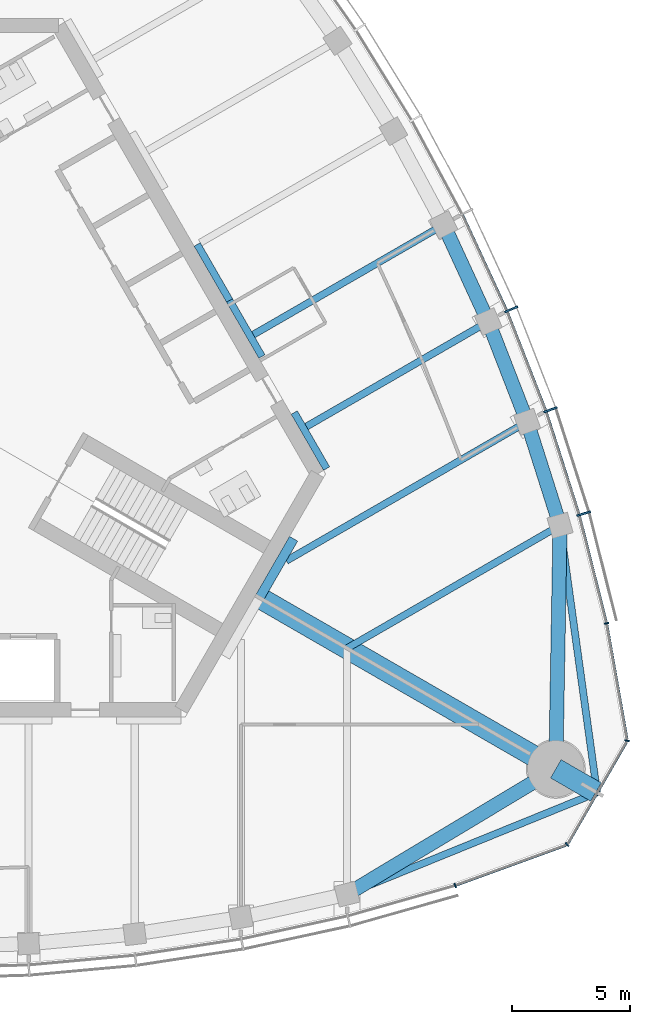
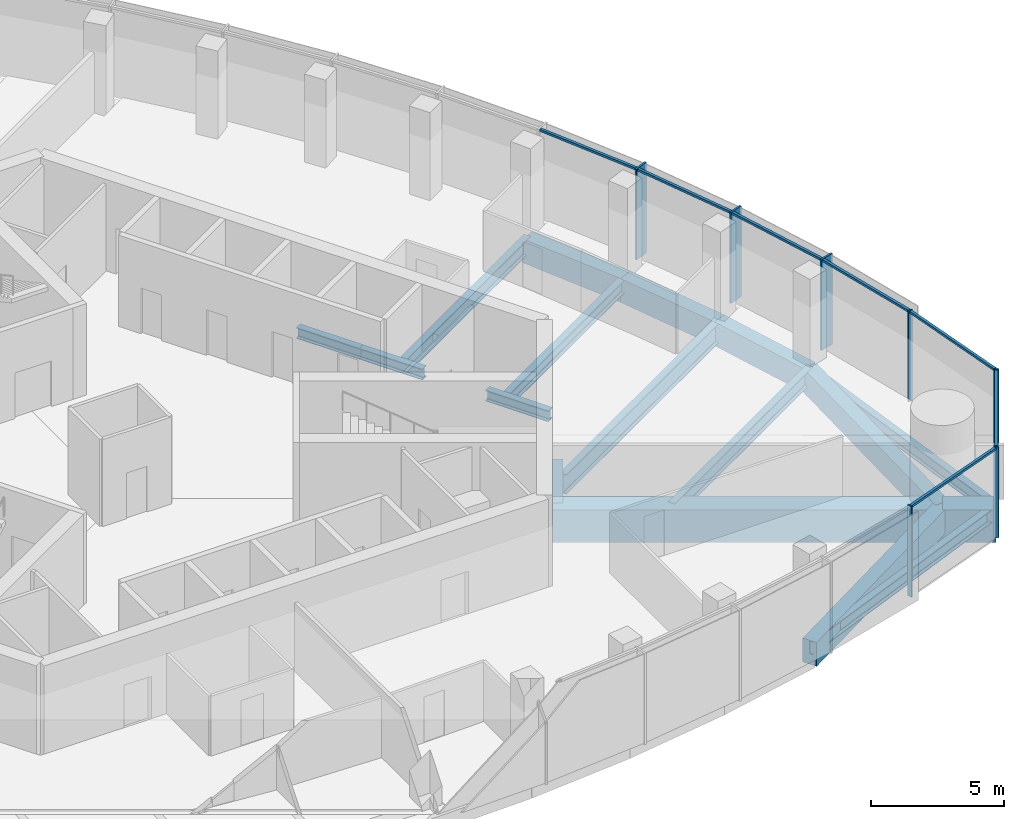
# One storey, part 4 of 16: 17 beams, 14 members, 2 elements without a shape of their own.
"""IFC4 building model written with IfcOpenShell, lengths in metres."""

from ifc_helpers import new_model, si_unit, direction, frame, origin, origin_2d, place, context, subcontext, project, spatial, rectangle, i_section, extrude, material, material_profile, profile_set, type_object, element, aggregate, save


model = new_model("IFC4")

# Units and contexts
model_context = context("Model", 3, precision=1e-05, world=origin(), true_north=direction((0.0, 1.0)))
body_context = subcontext(model_context, "Body", "Model", "MODEL_VIEW")
ifc_project = project(units=[si_unit("LENGTHUNIT", "METRE"), si_unit("AREAUNIT", "SQUARE_METRE"), si_unit("VOLUMEUNIT", "CUBIC_METRE"), si_unit("PLANEANGLEUNIT", "RADIAN"), si_unit("MASSUNIT", "GRAM", prefix="KILO")], contexts=[model_context])

# Site, building, storey
site_placement = place(None, origin())
site = spatial("IfcSite", under=ifc_project, at=site_placement, CompositionType="ELEMENT")
building_placement = place(site_placement, origin())
building = spatial("IfcBuilding", under=site, at=building_placement, Name="Trefoil Bronze Tower", CompositionType="ELEMENT")
storey_placement = place(building_placement, frame((0.0, 0.0, 309.89990234375)))
storey = spatial("IfcBuildingStorey", under=building, at=storey_placement, Name="L71", CompositionType="ELEMENT", Elevation=309.89990234375)

# Curtain wall, members
ifc_material_1 = material(Name="Tinted solar-control glass", Category="glass")
curtain_wall_type_1 = type_object("IfcCurtainWallType", Name="Bronze office curtain wall", PredefinedType="USERDEFINED", material=ifc_material_1)
curtain_wall_1_placement = place(storey_placement, origin())
curtain_wall_1 = element("IfcCurtainWall", 1, at=curtain_wall_1_placement, inside=storey, type_object=curtain_wall_type_1, Name="CW-A L71 F2", ObjectType="CURTAIN WALL", PredefinedType="USERDEFINED")
ifc_material_2 = material(Name="Bronze-finish aluminium", Category="aluminium")
ifc_material_profile_1 = material_profile(ifc_material_2, rectangle(XDim=0.60009765625, YDim=0.080078125, at=origin_2d()), Name="CW-A mullion")
ifc_profile_set_1 = profile_set([ifc_material_profile_1], Name="Bronze-finish aluminium")
member_type_1 = type_object("IfcMemberType", Name="Bronze office curtain wall mullion", PredefinedType="MULLION", material=ifc_profile_set_1)
member_1_placement = place(storey_placement, frame((28.02978515625, -4.685546875, 0.0), z_axis=(0.0, 0.0, 1.0), x_axis=(-0.961395843746, -0.275169096426, 0.0)))
member_1 = element("IfcMember", 2, at=member_1_placement, type_object=member_type_1, Name="CW-A L71 F2 mullion 2", PredefinedType="MULLION", context=body_context, shape_type="SweptSolid", body=[
    extrude(rectangle(XDim=0.60009765625, YDim=0.080078125, at=origin_2d()), origin(), (0.0, 0.0, 1.0), 4.18017578125),
])
member_2_placement = place(storey_placement, frame((26.618896484375, -0.282958984375, 0.0), z_axis=(0.0, 0.0, 1.0), x_axis=(-0.942448408407, -0.334351607581, 0.0)))
member_2 = element("IfcMember", 3, at=member_2_placement, type_object=member_type_1, Name="CW-A L71 F2 mullion 3", PredefinedType="MULLION", context=body_context, shape_type="SweptSolid", body=[
    extrude(rectangle(XDim=0.60009765625, YDim=0.080078125, at=origin_2d()), origin(), (0.0, 0.0, 1.0), 4.18017578125),
])
member_3_placement = place(storey_placement, frame((24.958984375, 3.975830078125, 0.0), z_axis=(0.0, 0.0, 1.0), x_axis=(-0.920205407004, -0.391435829888, 0.0)))
member_3 = element("IfcMember", 4, at=member_3_placement, type_object=member_type_1, Name="CW-A L71 F2 mullion 4", PredefinedType="MULLION", context=body_context, shape_type="SweptSolid", body=[
    extrude(rectangle(XDim=0.60009765625, YDim=0.080078125, at=origin_2d()), origin(), (0.0, 0.0, 1.0), 4.18017578125),
])
ifc_material_3 = material(Name="Bronze-finish aluminium", Category="aluminium")
ifc_material_profile_2 = material_profile(ifc_material_3, rectangle(XDim=0.1201171875, YDim=0.10009765625, at=origin_2d()), Name="CW-A transom")
ifc_profile_set_2 = profile_set([ifc_material_profile_2], Name="Bronze-finish aluminium")
member_type_2 = type_object("IfcMemberType", Name="Bronze office curtain wall transom", PredefinedType="USERDEFINED", material=ifc_profile_set_2)
member_4_placement = place(storey_placement, frame((28.986328125, -9.288330078125, 4.130126953125), z_axis=(-0.244908148095, 0.969546285123, 0.0), x_axis=(-0.969546285123, -0.244908148095, 0.0)))
member_4 = element("IfcMember", 5, at=member_4_placement, type_object=member_type_2, Name="CW-A L71 F2 transom 1", ObjectType="TRANSOM", PredefinedType="USERDEFINED", context=body_context, shape_type="SweptSolid", body=[
    extrude(rectangle(XDim=0.1201171875, YDim=0.10009765625, at=origin_2d()), origin(), (0.0, 0.0, 1.0), 4.6474609375),
])
member_5_placement = place(storey_placement, frame((27.824462890625, -4.699462890625, 4.130126953125), z_axis=(-0.305198606794, 0.95228872219, 0.0), x_axis=(-0.95228872219, -0.305198606794, 0.0)))
member_5 = element("IfcMember", 6, at=member_5_placement, type_object=member_type_2, Name="CW-A L71 F2 transom 2", ObjectType="TRANSOM", PredefinedType="USERDEFINED", context=body_context, shape_type="SweptSolid", body=[
    extrude(rectangle(XDim=0.1201171875, YDim=0.10009765625, at=origin_2d()), origin(), (0.0, 0.0, 1.0), 4.5244140625),
])
member_6_placement = place(storey_placement, frame((26.414794921875, -0.3095703125, 4.130126953125), z_axis=(-0.363178486404, 0.931719586042, 0.0), x_axis=(-0.931719586042, -0.363178486404, 0.0)))
member_6 = element("IfcMember", 7, at=member_6_placement, type_object=member_type_2, Name="CW-A L71 F2 transom 3", ObjectType="TRANSOM", PredefinedType="USERDEFINED", context=body_context, shape_type="SweptSolid", body=[
    extrude(rectangle(XDim=0.1201171875, YDim=0.10009765625, at=origin_2d()), origin(), (0.0, 0.0, 1.0), 4.472412109375),
])
member_7_placement = place(storey_placement, frame((24.7568359375, 3.9365234375, 4.130126953125), z_axis=(-0.4192988407, 0.907848270466, 0.0), x_axis=(-0.907848270466, -0.4192988407, 0.0)))
member_7 = element("IfcMember", 8, at=member_7_placement, type_object=member_type_2, Name="CW-A L71 F2 transom 4", ObjectType="TRANSOM", PredefinedType="USERDEFINED", context=body_context, shape_type="SweptSolid", body=[
    extrude(rectangle(XDim=0.1201171875, YDim=0.10009765625, at=origin_2d()), origin(), (0.0, 0.0, 1.0), 4.4384765625),
])
aggregate(curtain_wall_1, [member_1, member_2, member_3, member_4, member_5, member_6, member_7])

ifc_material_4 = material(Name="Tinted solar-control glass", Category="glass")
curtain_wall_type_2 = type_object("IfcCurtainWallType", Name="Bronze rounded corner curtain wall", PredefinedType="USERDEFINED", material=ifc_material_4)
curtain_wall_2_placement = place(storey_placement, origin())
curtain_wall_2 = element("IfcCurtainWall", 9, at=curtain_wall_2_placement, inside=storey, type_object=curtain_wall_type_2, Name="CW-B L71 K1", ObjectType="CURTAIN WALL", PredefinedType="USERDEFINED")
ifc_material_5 = material(Name="Bronze-finish aluminium", Category="aluminium")
ifc_material_profile_3 = material_profile(ifc_material_5, rectangle(XDim=0.199951171875, YDim=0.06005859375, at=origin_2d()), Name="CW-B mullion")
ifc_profile_set_3 = profile_set([ifc_material_profile_3], Name="Bronze-finish aluminium")
member_type_3 = type_object("IfcMemberType", Name="Bronze rounded corner curtain wall mullion", PredefinedType="MULLION", material=ifc_profile_set_3)
member_8_placement = place(storey_placement, frame((22.58251953125, -20.445556640625, 0.0), z_axis=(0.0, 0.0, 1.0), x_axis=(-0.342020143326, 0.939692620786, 0.0)))
member_8 = element("IfcMember", 10, at=member_8_placement, type_object=member_type_3, Name="CW-B L71 K1 mullion 1", PredefinedType="MULLION", context=body_context, shape_type="SweptSolid", body=[
    extrude(rectangle(XDim=0.199951171875, YDim=0.06005859375, at=origin_2d()), origin(), (0.0, 0.0, 1.0), 4.18017578125),
])
member_9_placement = place(storey_placement, frame((27.326416015625, -18.712646484375, 0.0), z_axis=(0.0, 0.0, 1.0), x_axis=(-0.642787609687, 0.766044443119, 0.0)))
member_9 = element("IfcMember", 11, at=member_9_placement, type_object=member_type_3, Name="CW-B L71 K1 mullion 2", PredefinedType="MULLION", context=body_context, shape_type="SweptSolid", body=[
    extrude(rectangle(XDim=0.199951171875, YDim=0.06005859375, at=origin_2d()), origin(), (0.0, 0.0, 1.0), 4.18017578125),
])
member_10_placement = place(storey_placement, frame((29.86865234375, -14.30908203125, 0.0), z_axis=(0.0, 0.0, 1.0), x_axis=(-0.984807753012, 0.173648177667, 0.0)))
member_10 = element("IfcMember", 12, at=member_10_placement, type_object=member_type_3, Name="CW-B L71 K1 mullion 3", PredefinedType="MULLION", context=body_context, shape_type="SweptSolid", body=[
    extrude(rectangle(XDim=0.199951171875, YDim=0.06005859375, at=origin_2d()), origin(), (0.0, 0.0, 1.0), 4.18017578125),
])
member_11_placement = place(storey_placement, frame((28.99755859375, -9.334228515625, 0.0), z_axis=(0.0, 0.0, 1.0), x_axis=(-0.984807753012, -0.173648177667, 0.0)))
member_11 = element("IfcMember", 13, at=member_11_placement, type_object=member_type_3, Name="CW-B L71 K1 mullion 4", PredefinedType="MULLION", context=body_context, shape_type="SweptSolid", body=[
    extrude(rectangle(XDim=0.199951171875, YDim=0.06005859375, at=origin_2d()), origin(), (0.0, 0.0, 1.0), 4.18017578125),
])
ifc_material_6 = material(Name="Bronze-finish aluminium", Category="aluminium")
ifc_material_profile_4 = material_profile(ifc_material_6, rectangle(XDim=0.1201171875, YDim=0.10009765625, at=origin_2d()), Name="CW-B transom")
ifc_profile_set_4 = profile_set([ifc_material_profile_4], Name="Bronze-finish aluminium")
member_type_4 = type_object("IfcMemberType", Name="Bronze rounded corner curtain wall transom", PredefinedType="USERDEFINED", material=ifc_profile_set_4)
member_12_placement = place(storey_placement, frame((22.610595703125, -20.435302734375, 4.130126953125), z_axis=(0.93969990549, 0.342000128103, 0.0), x_axis=(-0.342000128103, 0.93969990549, 0.0)))
member_12 = element("IfcMember", 14, at=member_12_placement, type_object=member_type_4, Name="CW-B L71 K1 transom 1", ObjectType="TRANSOM", PredefinedType="USERDEFINED", context=body_context, shape_type="SweptSolid", body=[
    extrude(rectangle(XDim=0.1201171875, YDim=0.10009765625, at=origin_2d()), origin(), (0.0, 0.0, 1.0), 4.956298828125),
])
member_13_placement = place(storey_placement, frame((27.36376953125, -18.659912109375, 4.130126953125), z_axis=(0.499985403706, 0.866033830794, 0.0), x_axis=(-0.866033830794, 0.499985403706, 0.0)))
member_13 = element("IfcMember", 15, at=member_13_placement, type_object=member_type_4, Name="CW-B L71 K1 transom 2", ObjectType="TRANSOM", PredefinedType="USERDEFINED", context=body_context, shape_type="SweptSolid", body=[
    extrude(rectangle(XDim=0.1201171875, YDim=0.10009765625, at=origin_2d()), origin(), (0.0, 0.0, 1.0), 4.956298828125),
])
member_14_placement = place(storey_placement, frame((29.863525390625, -14.244873046875, 4.130126953125), z_axis=(-0.173633591509, 0.984810324834, 0.0), x_axis=(-0.984810324834, -0.173633591509, 0.0)))
member_14 = element("IfcMember", 16, at=member_14_placement, type_object=member_type_4, Name="CW-B L71 K1 transom 3", ObjectType="TRANSOM", PredefinedType="USERDEFINED", context=body_context, shape_type="SweptSolid", body=[
    extrude(rectangle(XDim=0.1201171875, YDim=0.10009765625, at=origin_2d()), origin(), (0.0, 0.0, 1.0), 4.956298828125),
])
aggregate(curtain_wall_2, [member_8, member_9, member_10, member_11, member_12, member_13, member_14])

# Beams
ifc_material_7 = material(Name="Steel C355", Category="steel")
ifc_material_profile_5 = material_profile(ifc_material_7, i_section(OverallWidth=0.300048828125, OverallDepth=0.5, WebThickness=0.014404296875, FlangeThickness=0.028076171875, FilletRadius=0.027099609375, at=origin_2d()), Name="HEB 500")
ifc_profile_set_5 = profile_set([ifc_material_profile_5], Name="Steel C355")
beam_type_1 = type_object("IfcBeamType", Name="Core seat beam HEB 500", PredefinedType="BEAM", material=ifc_profile_set_5)
for number, where, z_axis, x_axis, name in (
    (17, (17.1328125, -2.77490234375, -0.449951171875), (-0.499969057507, 0.866043267704, 0.0), (-0.866043267704, -0.499969057507, 0.0), "Core seat beam F2/-2 L71"),
    (18, (14.390380859375, 1.97509765625, -0.449951171875), (-0.499969057507, 0.866043267704, 0.0), (-0.866043267704, -0.499969057507, 0.0), "Core seat beam F2/-1 L71"),
    (19, (13.019287109375, 4.35009765625, -0.449951171875), (-0.500035825175, 0.866004719122, 0.0), (-0.866004719122, -0.500035825175, 0.0), "Core seat beam F2/+0 L71"),
):
    element("IfcBeam", number, at=place(storey_placement, frame(where, z_axis=z_axis, x_axis=x_axis)), inside=storey, type_object=beam_type_1, Name=name, PredefinedType="BEAM", context=body_context, shape_type="SweptSolid", body=[
        extrude(i_section(OverallWidth=0.300048828125, OverallDepth=0.5, WebThickness=0.014404296875, FlangeThickness=0.028076171875, FilletRadius=0.027099609375, at=origin_2d()), origin(), (0.0, 0.0, 1.0), 2.742431640625),
    ])
ifc_material_8 = material(Name="Steel C355", Category="steel")
ifc_material_profile_6 = material_profile(ifc_material_8, i_section(OverallWidth=0.39990234375, OverallDepth=1.199951171875, WebThickness=0.02001953125, FlangeThickness=0.0400390625, FilletRadius=0.010009765625, at=origin_2d()), Name="WPG 1200")
ifc_profile_set_6 = profile_set([ifc_material_profile_6], Name="Steel C355")
beam_type_2 = type_object("IfcBeamType", Name="Core seat beam WPG 1200", PredefinedType="BEAM", material=ifc_profile_set_6)
beam_1_placement = place(storey_placement, frame((14.289306640625, -8.25, -0.7998046875), z_axis=(0.500059191753, 0.865991226713, 0.0), x_axis=(-0.865991226713, 0.500059191753, 0.0)))
element("IfcBeam", 20, at=beam_1_placement, inside=storey, type_object=beam_type_2, Name="Core seat beam F2/-3 L71", PredefinedType="BEAM", context=body_context, shape_type="SweptSolid", body=[
    extrude(i_section(OverallWidth=0.39990234375, OverallDepth=1.199951171875, WebThickness=0.02001953125, FlangeThickness=0.0400390625, FilletRadius=0.010009765625, at=origin_2d()), origin(), (0.0, 0.0, 1.0), 2.886962890625),
])
ifc_material_9 = material(Name="Concrete B80", Category="concrete")
ifc_material_profile_7 = material_profile(ifc_material_9, rectangle(XDim=0.89990234375, YDim=1.5, at=origin_2d()), Name="RC 900x1500")
ifc_profile_set_7 = profile_set([ifc_material_profile_7], Name="Concrete B80")
beam_type_3 = type_object("IfcBeamType", Name="Corner cantilever RC 900x1500", PredefinedType="BEAM", material=ifc_profile_set_7)
beam_2_placement = place(storey_placement, frame((26.8466796875, -15.5, -0.949951171875), z_axis=(0.866010470582, -0.500025864173, 0.0), x_axis=(0.500025864173, 0.866010470582, 0.0)))
element("IfcBeam", 21, at=beam_2_placement, inside=storey, type_object=beam_type_3, Name="Corner cantilever K1 L71", PredefinedType="BEAM", context=body_context, shape_type="SweptSolid", body=[
    extrude(rectangle(XDim=0.89990234375, YDim=1.5, at=origin_2d()), origin(), (0.0, 0.0, 1.0), 2.02001953125),
])
ifc_material_10 = material(Name="Steel C355", Category="steel")
ifc_material_profile_8 = material_profile(ifc_material_10, i_section(OverallWidth=0.300048828125, OverallDepth=0.60009765625, WebThickness=0.015380859375, FlangeThickness=0.030029296875, FilletRadius=0.027099609375, at=origin_2d()), Name="HEB 600")
ifc_profile_set_8 = profile_set([ifc_material_profile_8], Name="Steel C355")
beam_type_4 = type_object("IfcBeamType", Name="Corner edge beam HEB 600", PredefinedType="BEAM", material=ifc_profile_set_8)
beam_3_placement = place(storey_placement, frame((18.0, -20.816162109375, -0.5), z_axis=(0.926419351914, 0.376493272714, 0.0), x_axis=(-0.376493272714, 0.926419351914, 0.0)))
element("IfcBeam", 22, at=beam_3_placement, inside=storey, type_object=beam_type_4, Name="Corner edge beam F1A L71", PredefinedType="BEAM", context=body_context, shape_type="SweptSolid", body=[
    extrude(i_section(OverallWidth=0.300048828125, OverallDepth=0.60009765625, WebThickness=0.015380859375, FlangeThickness=0.030029296875, FilletRadius=0.027099609375, at=origin_2d()), origin(), (0.0, 0.0, 1.0), 11.4375),
])
beam_4_placement = place(storey_placement, frame((27.02734375, -5.180419921875, -0.5), z_axis=(0.137143714313, -0.990551160529, 0.0), x_axis=(0.990551160529, 0.137143714313, 0.0)))
element("IfcBeam", 23, at=beam_4_placement, inside=storey, type_object=beam_type_4, Name="Corner edge beam F2B L71", PredefinedType="BEAM", context=body_context, shape_type="SweptSolid", body=[
    extrude(i_section(OverallWidth=0.300048828125, OverallDepth=0.60009765625, WebThickness=0.015380859375, FlangeThickness=0.030029296875, FilletRadius=0.027099609375, at=origin_2d()), origin(), (0.0, 0.0, 1.0), 11.437744140625),
])
ifc_material_11 = material(Name="Concrete B80", Category="concrete")
ifc_material_profile_9 = material_profile(ifc_material_11, rectangle(XDim=0.89990234375, YDim=1.5, at=origin_2d()), Name="RC 900x1500")
ifc_profile_set_9 = profile_set([ifc_material_profile_9], Name="Concrete B80")
beam_type_5 = type_object("IfcBeamType", Name="Corner girder RC 900x1500", PredefinedType="BEAM", material=ifc_profile_set_9)
beam_5_placement = place(storey_placement, frame((14.1162109375, -8.14990234375, -0.949951171875), z_axis=(0.86602074674, -0.500008066151, 0.0), x_axis=(0.500008066151, 0.86602074674, 0.0)))
element("IfcBeam", 24, at=beam_5_placement, inside=storey, type_object=beam_type_5, Name="Corner girder K1 L71", PredefinedType="BEAM", context=body_context, shape_type="SweptSolid", body=[
    extrude(rectangle(XDim=0.89990234375, YDim=1.5, at=origin_2d()), origin(), (0.0, 0.0, 1.0), 14.699951171875),
])
ifc_material_12 = material(Name="Concrete B80", Category="concrete")
ifc_material_profile_10 = material_profile(ifc_material_12, rectangle(XDim=0.60009765625, YDim=1.10009765625, at=origin_2d()), Name="RC 600x1100")
ifc_profile_set_10 = profile_set([ifc_material_profile_10], Name="Concrete B80")
beam_type_6 = type_object("IfcBeamType", Name="End spandrel beam RC 600x1100", PredefinedType="SPANDREL", material=ifc_profile_set_10)
for number, where, z_axis, x_axis, name in (
    (25, (18.0, -20.816162109375, -0.75), (0.857144173035, 0.515076563855, 0.0), (-0.515076563855, 0.857144173035, 0.0), "Spandrel F1.10 L71"),
    (26, (26.8466796875, -15.5, -0.75), (0.017504237714, 0.999846789094, 0.0), (-0.999846789094, 0.017504237714, 0.0), "Spandrel F2.1 L71"),
):
    element("IfcBeam", number, at=place(storey_placement, frame(where, z_axis=z_axis, x_axis=x_axis)), inside=storey, type_object=beam_type_6, Name=name, PredefinedType="SPANDREL", context=body_context, shape_type="SweptSolid", body=[
        extrude(rectangle(XDim=0.60009765625, YDim=1.10009765625, at=origin_2d()), origin(), (0.0, 0.0, 1.0), 10.321044921875),
    ])
ifc_material_13 = material(Name="Steel C355", Category="steel")
ifc_material_profile_11 = material_profile(ifc_material_13, i_section(OverallWidth=0.300048828125, OverallDepth=0.60009765625, WebThickness=0.015380859375, FlangeThickness=0.030029296875, FilletRadius=0.027099609375, at=origin_2d()), Name="HEB 600")
ifc_profile_set_11 = profile_set([ifc_material_profile_11], Name="Steel C355")
beam_type_7 = type_object("IfcBeamType", Name="Floor beam HEB 600", PredefinedType="BEAM", material=ifc_profile_set_11)
beam_6_placement = place(storey_placement, frame((23.98486328125, 3.455322265625, -0.5), z_axis=(-0.866034827411, -0.499983677445, 0.0), x_axis=(0.499983677445, -0.866034827411, 0.0)))
element("IfcBeam", 27, at=beam_6_placement, inside=storey, type_object=beam_type_7, Name="Floor beam F2/-2 L71", PredefinedType="BEAM", context=body_context, shape_type="SweptSolid", body=[
    extrude(i_section(OverallWidth=0.300048828125, OverallDepth=0.60009765625, WebThickness=0.015380859375, FlangeThickness=0.030029296875, FilletRadius=0.027099609375, at=origin_2d()), origin(), (0.0, 0.0, 1.0), 8.899169921875),
])
ifc_material_14 = material(Name="Steel C355", Category="steel")
ifc_material_profile_12 = material_profile(ifc_material_14, i_section(OverallWidth=0.300048828125, OverallDepth=0.699951171875, WebThickness=0.01708984375, FlangeThickness=0.031982421875, FilletRadius=0.027099609375, at=origin_2d()), Name="HEB 700")
ifc_profile_set_12 = profile_set([ifc_material_profile_12], Name="Steel C355")
beam_type_8 = type_object("IfcBeamType", Name="Floor beam HEB 700", PredefinedType="BEAM", material=ifc_profile_set_12)
beam_7_placement = place(storey_placement, frame((27.02734375, -5.180419921875, -0.5498046875), z_axis=(-0.866026453994, -0.499998180979, 0.0), x_axis=(0.499998180979, -0.866026453994, 0.0)))
element("IfcBeam", 28, at=beam_7_placement, inside=storey, type_object=beam_type_8, Name="Floor beam F2/-4 L71", PredefinedType="BEAM", context=body_context, shape_type="SweptSolid", body=[
    extrude(i_section(OverallWidth=0.300048828125, OverallDepth=0.699951171875, WebThickness=0.01708984375, FlangeThickness=0.031982421875, FilletRadius=0.027099609375, at=origin_2d()), origin(), (0.0, 0.0, 1.0), 10.423828125),
])
beam_8_placement = place(storey_placement, frame((22.093994140625, 7.559814453125, -0.5498046875), z_axis=(-0.866026261222, -0.499998514871, 0.0), x_axis=(0.499998514871, -0.866026261222, 0.0)))
element("IfcBeam", 29, at=beam_8_placement, inside=storey, type_object=beam_type_8, Name="Floor beam F2/-1 L71", PredefinedType="BEAM", context=body_context, shape_type="SweptSolid", body=[
    extrude(i_section(OverallWidth=0.300048828125, OverallDepth=0.699951171875, WebThickness=0.01708984375, FlangeThickness=0.031982421875, FilletRadius=0.027099609375, at=origin_2d()), origin(), (0.0, 0.0, 1.0), 9.31396484375),
])
ifc_material_15 = material(Name="Steel C355", Category="steel")
ifc_material_profile_13 = material_profile(ifc_material_15, i_section(OverallWidth=0.300048828125, OverallDepth=0.89990234375, WebThickness=0.0185546875, FlangeThickness=0.034912109375, FilletRadius=0.030029296875, at=origin_2d()), Name="HEB 900")
ifc_profile_set_13 = profile_set([ifc_material_profile_13], Name="Steel C355")
beam_type_9 = type_object("IfcBeamType", Name="Floor beam HEB 900", PredefinedType="BEAM", material=ifc_profile_set_13)
beam_9_placement = place(storey_placement, frame((25.631591796875, -0.7900390625, -0.64990234375), z_axis=(-0.866026552003, -0.499998011222, 0.0), x_axis=(0.499998011222, -0.866026552003, 0.0)))
element("IfcBeam", 30, at=beam_9_placement, inside=storey, type_object=beam_type_9, Name="Floor beam F2/-3 L71", PredefinedType="BEAM", context=body_context, shape_type="SweptSolid", body=[
    extrude(i_section(OverallWidth=0.300048828125, OverallDepth=0.89990234375, WebThickness=0.0185546875, FlangeThickness=0.034912109375, FilletRadius=0.030029296875, at=origin_2d()), origin(), (0.0, 0.0, 1.0), 11.78515625),
])
ifc_material_16 = material(Name="Concrete B80", Category="concrete")
ifc_material_profile_14 = material_profile(ifc_material_16, rectangle(XDim=0.60009765625, YDim=1.10009765625, at=origin_2d()), Name="RC 600x1100")
ifc_profile_set_14 = profile_set([ifc_material_profile_14], Name="Concrete B80")
beam_type_10 = type_object("IfcBeamType", Name="Spandrel beam RC 600x1100", PredefinedType="SPANDREL", material=ifc_profile_set_14)
beam_10_placement = place(storey_placement, frame((27.02734375, -5.180419921875, -0.75), z_axis=(-0.302969597344, 0.953000221975, 0.0), x_axis=(-0.953000221975, -0.302969597344, 0.0)))
element("IfcBeam", 31, at=beam_10_placement, inside=storey, type_object=beam_type_10, Name="Spandrel F2.2 L71", PredefinedType="SPANDREL", context=body_context, shape_type="SweptSolid", body=[
    extrude(rectangle(XDim=0.60009765625, YDim=1.10009765625, at=origin_2d()), origin(), (0.0, 0.0, 1.0), 4.60693359375),
])
beam_11_placement = place(storey_placement, frame((25.631591796875, -0.7900390625, -0.75), z_axis=(-0.361636286502, 0.932319256631, 0.0), x_axis=(-0.932319256631, -0.361636286502, 0.0)))
element("IfcBeam", 32, at=beam_11_placement, inside=storey, type_object=beam_type_10, Name="Spandrel F2.3 L71", PredefinedType="SPANDREL", context=body_context, shape_type="SweptSolid", body=[
    extrude(rectangle(XDim=0.60009765625, YDim=1.10009765625, at=origin_2d()), origin(), (0.0, 0.0, 1.0), 4.553466796875),
])
beam_12_placement = place(storey_placement, frame((23.98486328125, 3.455322265625, -0.75), z_axis=(-0.418417425199, 0.90825484215, 0.0), x_axis=(-0.90825484215, -0.418417425199, 0.0)))
element("IfcBeam", 33, at=beam_12_placement, inside=storey, type_object=beam_type_10, Name="Spandrel F2.4 L71", PredefinedType="SPANDREL", context=body_context, shape_type="SweptSolid", body=[
    extrude(rectangle(XDim=0.60009765625, YDim=1.10009765625, at=origin_2d()), origin(), (0.0, 0.0, 1.0), 4.51904296875),
])

save(model, "model.ifc")
